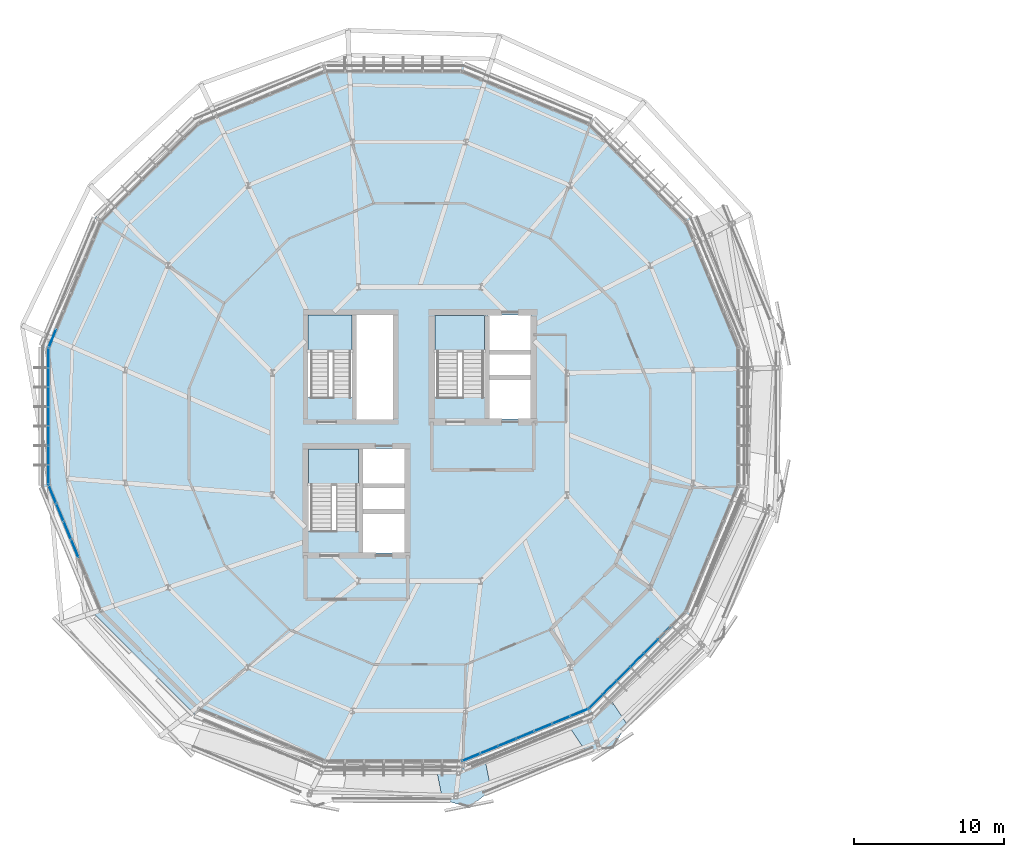
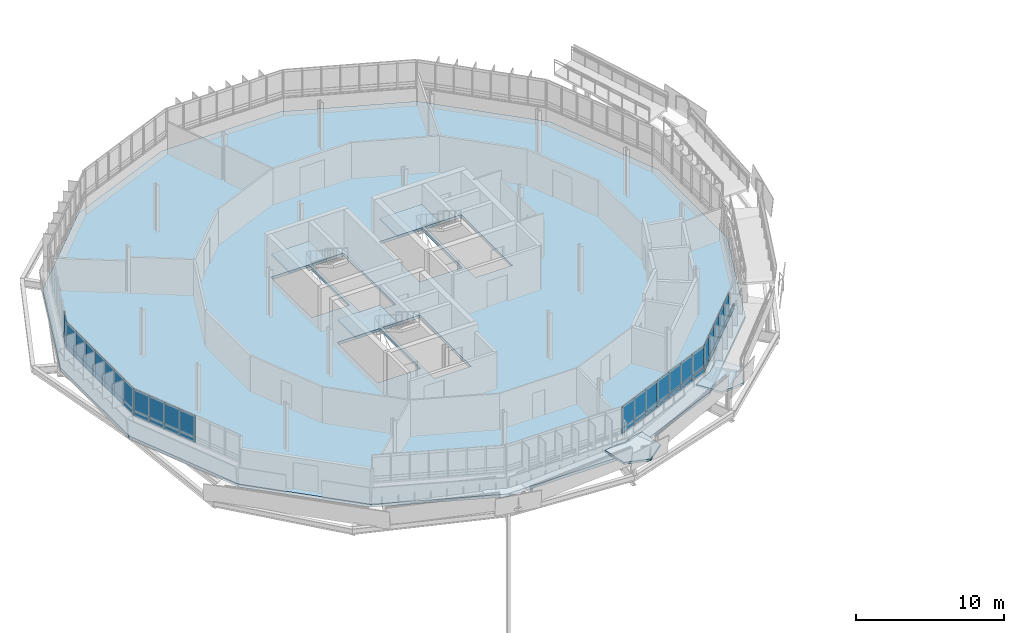
# One storey, part 25 of 38: 49 plates, 6 slabs, 9 elements without a shape of their own.
"""IFC4 building model written with IfcOpenShell, lengths in metres."""

from ifc_helpers import new_model, si_unit, derived_unit, direction, frame, origin, origin_2d, place, context, subcontext, project, spatial, polyline, rectangle, outline, extrude, material, layer, layer_set, type_object, element, aggregate, save


model = new_model("IFC4")

# Units and contexts
model_context = context("Model", 3, precision=1e-05, world=origin(), true_north=direction((0.0, 1.0)))
body_context = subcontext(model_context, "Body", "Model", "MODEL_VIEW")
ifc_project = project(units=[si_unit("LENGTHUNIT", "METRE"), si_unit("AREAUNIT", "SQUARE_METRE"), si_unit("VOLUMEUNIT", "CUBIC_METRE"), si_unit("PLANEANGLEUNIT", "RADIAN"), si_unit("MASSUNIT", "GRAM", prefix="KILO"), derived_unit("THERMALTRANSMITTANCEUNIT", [(si_unit("MASSUNIT", "GRAM", prefix="KILO"), 1), (si_unit("TIMEUNIT", "SECOND"), -3), (si_unit("THERMODYNAMICTEMPERATUREUNIT", "KELVIN"), -1)])], contexts=[model_context])

# Site, building, storey
site_placement = place(None, origin())
site = spatial("IfcSite", under=ifc_project, at=site_placement, CompositionType="ELEMENT")
building_placement = place(site_placement, origin())
building = spatial("IfcBuilding", under=site, at=building_placement, Name="Makaiwela Harbour Ferry Terminal", CompositionType="ELEMENT")
storey_placement = place(building_placement, frame((0.0, 0.0, 17.699951171875)))
storey = spatial("IfcBuildingStorey", under=building, at=storey_placement, Name="L04", CompositionType="ELEMENT", Elevation=17.699951171875)

# Curtain wall, plate
ifc_material_1 = material(Name="Marine anodised aluminium 6063-T6", Category="aluminium")
ifc_layer_1 = layer(ifc_material_1, 0.199951171875)
ifc_layer_set_1 = layer_set([ifc_layer_1], Name="Marine anodised aluminium 6063-T6")
curtain_wall_type = type_object("IfcCurtainWallType", Name="ENV-CW-06", PredefinedType="USERDEFINED", material=ifc_layer_set_1)
curtain_wall_1_placement = place(storey_placement, origin())
curtain_wall_1 = element("IfcCurtainWall", 1, at=curtain_wall_1_placement, inside=storey, type_object=curtain_wall_type, Name="Unitised Curtain Wall CWA-049", ObjectType="UNITIZED CURTAIN WALL", PredefinedType="USERDEFINED")
ifc_material_2 = material(Name="Laminated hurricane-impact low-E insulated glazing", Category="glass")
ifc_layer_2 = layer(ifc_material_2, 0.031982421875)
ifc_layer_set_2 = layer_set([ifc_layer_2], Name="Laminated hurricane-impact low-E insulated glazing")
plate_type_1 = type_object("IfcPlateType", Name="CW-PNL-G09", PredefinedType="CURTAIN_PANEL", material=ifc_layer_set_2)
plate_1_placement = place(storey_placement, frame((13.35888671875, 73.96142578125, 1.89990234375), z_axis=(0.0, 0.0, 1.0), x_axis=(-0.382683432365, -0.923879532511, 0.0)))
plate_1 = element("IfcPlate", 2, at=plate_1_placement, type_object=plate_type_1, Name="Glazed Vision Panel CWA-049-7G", PredefinedType="CURTAIN_PANEL", context=body_context, shape_type="SweptSolid", body=[
    extrude(rectangle(XDim=1.295654296875, YDim=0.031982421875, at=origin_2d()), origin(), (0.0, 0.0, 1.0), 1.780029296875),
])

# Curtain wall, plates
curtain_wall_2_placement = place(storey_placement, origin())
curtain_wall_2 = element("IfcCurtainWall", 3, at=curtain_wall_2_placement, inside=storey, type_object=curtain_wall_type, Name="Unitised Curtain Wall CWA-050", ObjectType="UNITIZED CURTAIN WALL", PredefinedType="USERDEFINED")
plate_2_placement = place(storey_placement, frame((13.099609375, 72.6572265625, 1.89990234375), z_axis=(0.0, 0.0, 1.0), x_axis=(0.0, -1.0, 0.0)))
plate_2 = element("IfcPlate", 4, at=plate_2_placement, type_object=plate_type_1, Name="Glazed Vision Panel CWA-050-1G", PredefinedType="CURTAIN_PANEL", context=body_context, shape_type="SweptSolid", body=[
    extrude(rectangle(XDim=1.295654296875, YDim=0.031982421875, at=origin_2d()), origin(), (0.0, 0.0, 1.0), 1.780029296875),
])
plate_3_placement = place(storey_placement, frame((13.099609375, 71.361572265625, 1.89990234375), z_axis=(0.0, 0.0, 1.0), x_axis=(0.0, -1.0, 0.0)))
plate_3 = element("IfcPlate", 5, at=plate_3_placement, type_object=plate_type_1, Name="Glazed Vision Panel CWA-050-2G", PredefinedType="CURTAIN_PANEL", context=body_context, shape_type="SweptSolid", body=[
    extrude(rectangle(XDim=1.295654296875, YDim=0.031982421875, at=origin_2d()), origin(), (0.0, 0.0, 1.0), 1.780029296875),
])
plate_4_placement = place(storey_placement, frame((13.099609375, 70.065673828125, 1.89990234375), z_axis=(0.0, 0.0, 1.0), x_axis=(0.0, -1.0, 0.0)))
plate_4 = element("IfcPlate", 6, at=plate_4_placement, type_object=plate_type_1, Name="Glazed Vision Panel CWA-050-3G", PredefinedType="CURTAIN_PANEL", context=body_context, shape_type="SweptSolid", body=[
    extrude(rectangle(XDim=1.295654296875, YDim=0.031982421875, at=origin_2d()), origin(), (0.0, 0.0, 1.0), 1.780029296875),
])
plate_5_placement = place(storey_placement, frame((13.099609375, 68.77001953125, 1.89990234375), z_axis=(0.0, 0.0, 1.0), x_axis=(0.0, -1.0, 0.0)))
plate_5 = element("IfcPlate", 7, at=plate_5_placement, type_object=plate_type_1, Name="Glazed Vision Panel CWA-050-4G", PredefinedType="CURTAIN_PANEL", context=body_context, shape_type="SweptSolid", body=[
    extrude(rectangle(XDim=1.295654296875, YDim=0.031982421875, at=origin_2d()), origin(), (0.0, 0.0, 1.0), 1.780029296875),
])
plate_6_placement = place(storey_placement, frame((13.099609375, 67.474365234375, 1.89990234375), z_axis=(0.0, 0.0, 1.0), x_axis=(0.0, -1.0, 0.0)))
plate_6 = element("IfcPlate", 8, at=plate_6_placement, type_object=plate_type_1, Name="Glazed Vision Panel CWA-050-5G", PredefinedType="CURTAIN_PANEL", context=body_context, shape_type="SweptSolid", body=[
    extrude(rectangle(XDim=1.295654296875, YDim=0.031982421875, at=origin_2d()), origin(), (0.0, 0.0, 1.0), 1.780029296875),
])
plate_7_placement = place(storey_placement, frame((13.099609375, 66.178466796875, 1.89990234375), z_axis=(0.0, 0.0, 1.0), x_axis=(0.0, -1.0, 0.0)))
plate_7 = element("IfcPlate", 9, at=plate_7_placement, type_object=plate_type_1, Name="Glazed Vision Panel CWA-050-6G", PredefinedType="CURTAIN_PANEL", context=body_context, shape_type="SweptSolid", body=[
    extrude(rectangle(XDim=1.295654296875, YDim=0.031982421875, at=origin_2d()), origin(), (0.0, 0.0, 1.0), 1.780029296875),
])
plate_8_placement = place(storey_placement, frame((13.099609375, 64.8828125, 1.89990234375), z_axis=(0.0, 0.0, 1.0), x_axis=(0.0, -1.0, 0.0)))
plate_8 = element("IfcPlate", 10, at=plate_8_placement, type_object=plate_type_1, Name="Glazed Vision Panel CWA-050-7G", PredefinedType="CURTAIN_PANEL", context=body_context, shape_type="SweptSolid", body=[
    extrude(rectangle(XDim=1.295654296875, YDim=0.031982421875, at=origin_2d()), origin(), (0.0, 0.0, 1.0), 1.780029296875),
])

curtain_wall_3_placement = place(storey_placement, origin())
curtain_wall_3 = element("IfcCurtainWall", 11, at=curtain_wall_3_placement, inside=storey, type_object=curtain_wall_type, Name="Unitised Curtain Wall CWA-051", ObjectType="UNITIZED CURTAIN WALL", PredefinedType="USERDEFINED")
plate_9_placement = place(storey_placement, frame((13.35888671875, 63.57861328125, 1.89990234375), z_axis=(0.0, 0.0, 1.0), x_axis=(0.382683432365, -0.923879532511, 0.0)))
plate_9 = element("IfcPlate", 12, at=plate_9_placement, type_object=plate_type_1, Name="Glazed Vision Panel CWA-051-1G", PredefinedType="CURTAIN_PANEL", context=body_context, shape_type="SweptSolid", body=[
    extrude(rectangle(XDim=1.295654296875, YDim=0.031982421875, at=origin_2d()), origin(), (0.0, 0.0, 1.0), 1.780029296875),
])
plate_10_placement = place(storey_placement, frame((13.85498046875, 62.381591796875, 1.89990234375), z_axis=(0.0, 0.0, 1.0), x_axis=(0.382683432365, -0.923879532511, 0.0)))
plate_10 = element("IfcPlate", 13, at=plate_10_placement, type_object=plate_type_1, Name="Glazed Vision Panel CWA-051-2G", PredefinedType="CURTAIN_PANEL", context=body_context, shape_type="SweptSolid", body=[
    extrude(rectangle(XDim=1.295654296875, YDim=0.031982421875, at=origin_2d()), origin(), (0.0, 0.0, 1.0), 1.780029296875),
])
plate_11_placement = place(storey_placement, frame((14.3505859375, 61.184326171875, 1.89990234375), z_axis=(0.0, 0.0, 1.0), x_axis=(0.382683432365, -0.923879532511, 0.0)))
plate_11 = element("IfcPlate", 14, at=plate_11_placement, type_object=plate_type_1, Name="Glazed Vision Panel CWA-051-3G", PredefinedType="CURTAIN_PANEL", context=body_context, shape_type="SweptSolid", body=[
    extrude(rectangle(XDim=1.295654296875, YDim=0.031982421875, at=origin_2d()), origin(), (0.0, 0.0, 1.0), 1.780029296875),
])
plate_12_placement = place(storey_placement, frame((14.8466796875, 59.9873046875, 1.89990234375), z_axis=(0.0, 0.0, 1.0), x_axis=(0.382683432365, -0.923879532511, 0.0)))
plate_12 = element("IfcPlate", 15, at=plate_12_placement, type_object=plate_type_1, Name="Glazed Vision Panel CWA-051-4G", PredefinedType="CURTAIN_PANEL", context=body_context, shape_type="SweptSolid", body=[
    extrude(rectangle(XDim=1.295654296875, YDim=0.031982421875, at=origin_2d()), origin(), (0.0, 0.0, 1.0), 1.780029296875),
])

curtain_wall_4_placement = place(storey_placement, origin())
curtain_wall_4 = element("IfcCurtainWall", 16, at=curtain_wall_4_placement, inside=storey, type_object=curtain_wall_type, Name="Unitised Curtain Wall CWA-054", ObjectType="UNITIZED CURTAIN WALL", PredefinedType="USERDEFINED")
plate_13_placement = place(storey_placement, frame((41.241455078125, 46.0791015625, 1.89990234375), z_axis=(0.0, 0.0, 1.0), x_axis=(0.923879532511, 0.382683432365, 0.0)))
plate_13 = element("IfcPlate", 17, at=plate_13_placement, type_object=plate_type_1, Name="Glazed Vision Panel CWA-054-1G", PredefinedType="CURTAIN_PANEL", context=body_context, shape_type="SweptSolid", body=[
    extrude(rectangle(XDim=1.295654296875, YDim=0.031982421875, at=origin_2d()), origin(), (0.0, 0.0, 1.0), 1.780029296875),
])
plate_14_placement = place(storey_placement, frame((42.4384765625, 46.574951171875, 1.89990234375), z_axis=(0.0, 0.0, 1.0), x_axis=(0.923879532511, 0.382683432365, 0.0)))
plate_14 = element("IfcPlate", 18, at=plate_14_placement, type_object=plate_type_1, Name="Glazed Vision Panel CWA-054-2G", PredefinedType="CURTAIN_PANEL", context=body_context, shape_type="SweptSolid", body=[
    extrude(rectangle(XDim=1.295654296875, YDim=0.031982421875, at=origin_2d()), origin(), (0.0, 0.0, 1.0), 1.780029296875),
])
plate_15_placement = place(storey_placement, frame((43.635498046875, 47.07080078125, 1.89990234375), z_axis=(0.0, 0.0, 1.0), x_axis=(0.923879532511, 0.382683432365, 0.0)))
plate_15 = element("IfcPlate", 19, at=plate_15_placement, type_object=plate_type_1, Name="Glazed Vision Panel CWA-054-3G", PredefinedType="CURTAIN_PANEL", context=body_context, shape_type="SweptSolid", body=[
    extrude(rectangle(XDim=1.295654296875, YDim=0.031982421875, at=origin_2d()), origin(), (0.0, 0.0, 1.0), 1.780029296875),
])
plate_16_placement = place(storey_placement, frame((44.832763671875, 47.566650390625, 1.89990234375), z_axis=(0.0, 0.0, 1.0), x_axis=(0.923879532511, 0.382683432365, 0.0)))
plate_16 = element("IfcPlate", 20, at=plate_16_placement, type_object=plate_type_1, Name="Glazed Vision Panel CWA-054-4G", PredefinedType="CURTAIN_PANEL", context=body_context, shape_type="SweptSolid", body=[
    extrude(rectangle(XDim=1.295654296875, YDim=0.031982421875, at=origin_2d()), origin(), (0.0, 0.0, 1.0), 1.780029296875),
])
plate_17_placement = place(storey_placement, frame((46.02978515625, 48.0625, 1.89990234375), z_axis=(0.0, 0.0, 1.0), x_axis=(0.923879532511, 0.382683432365, 0.0)))
plate_17 = element("IfcPlate", 21, at=plate_17_placement, type_object=plate_type_1, Name="Glazed Vision Panel CWA-054-5G", PredefinedType="CURTAIN_PANEL", context=body_context, shape_type="SweptSolid", body=[
    extrude(rectangle(XDim=1.295654296875, YDim=0.031982421875, at=origin_2d()), origin(), (0.0, 0.0, 1.0), 1.780029296875),
])
plate_18_placement = place(storey_placement, frame((47.226806640625, 48.558349609375, 1.89990234375), z_axis=(0.0, 0.0, 1.0), x_axis=(0.923879532511, 0.382683432365, 0.0)))
plate_18 = element("IfcPlate", 22, at=plate_18_placement, type_object=plate_type_1, Name="Glazed Vision Panel CWA-054-6G", PredefinedType="CURTAIN_PANEL", context=body_context, shape_type="SweptSolid", body=[
    extrude(rectangle(XDim=1.295654296875, YDim=0.031982421875, at=origin_2d()), origin(), (0.0, 0.0, 1.0), 1.780029296875),
])
plate_19_placement = place(storey_placement, frame((48.424072265625, 49.05419921875, 1.89990234375), z_axis=(0.0, 0.0, 1.0), x_axis=(0.923879532511, 0.382683432365, 0.0)))
plate_19 = element("IfcPlate", 23, at=plate_19_placement, type_object=plate_type_1, Name="Glazed Vision Panel CWA-054-7G", PredefinedType="CURTAIN_PANEL", context=body_context, shape_type="SweptSolid", body=[
    extrude(rectangle(XDim=1.295654296875, YDim=0.031982421875, at=origin_2d()), origin(), (0.0, 0.0, 1.0), 1.780029296875),
])

curtain_wall_5_placement = place(storey_placement, origin())
curtain_wall_5 = element("IfcCurtainWall", 24, at=curtain_wall_5_placement, inside=storey, type_object=curtain_wall_type, Name="Unitised Curtain Wall CWA-055", ObjectType="UNITIZED CURTAIN WALL", PredefinedType="USERDEFINED")
plate_20_placement = place(storey_placement, frame((49.529541015625, 49.79296875, 1.89990234375), z_axis=(0.0, 0.0, 1.0), x_axis=(0.707106781187, 0.707106781187, 0.0)))
plate_20 = element("IfcPlate", 25, at=plate_20_placement, type_object=plate_type_1, Name="Glazed Vision Panel CWA-055-1G", PredefinedType="CURTAIN_PANEL", context=body_context, shape_type="SweptSolid", body=[
    extrude(rectangle(XDim=1.2958984375, YDim=0.031982421875, at=origin_2d()), origin(), (0.0, 0.0, 1.0), 1.780029296875),
])
plate_21_placement = place(storey_placement, frame((50.44580078125, 50.709228515625, 1.89990234375), z_axis=(0.0, 0.0, 1.0), x_axis=(0.707106781187, 0.707106781187, 0.0)))
plate_21 = element("IfcPlate", 26, at=plate_21_placement, type_object=plate_type_1, Name="Glazed Vision Panel CWA-055-2G", PredefinedType="CURTAIN_PANEL", context=body_context, shape_type="SweptSolid", body=[
    extrude(rectangle(XDim=1.2958984375, YDim=0.031982421875, at=origin_2d()), origin(), (0.0, 0.0, 1.0), 1.780029296875),
])
plate_22_placement = place(storey_placement, frame((51.362060546875, 51.62548828125, 1.89990234375), z_axis=(0.0, 0.0, 1.0), x_axis=(0.707106781187, 0.707106781187, 0.0)))
plate_22 = element("IfcPlate", 27, at=plate_22_placement, type_object=plate_type_1, Name="Glazed Vision Panel CWA-055-3G", PredefinedType="CURTAIN_PANEL", context=body_context, shape_type="SweptSolid", body=[
    extrude(rectangle(XDim=1.2958984375, YDim=0.031982421875, at=origin_2d()), origin(), (0.0, 0.0, 1.0), 1.780029296875),
])
plate_23_placement = place(storey_placement, frame((52.2783203125, 52.541748046875, 1.89990234375), z_axis=(0.0, 0.0, 1.0), x_axis=(0.707106781187, 0.707106781187, 0.0)))
plate_23 = element("IfcPlate", 28, at=plate_23_placement, type_object=plate_type_1, Name="Glazed Vision Panel CWA-055-4G", PredefinedType="CURTAIN_PANEL", context=body_context, shape_type="SweptSolid", body=[
    extrude(rectangle(XDim=1.2958984375, YDim=0.031982421875, at=origin_2d()), origin(), (0.0, 0.0, 1.0), 1.780029296875),
])
plate_24_placement = place(storey_placement, frame((53.194580078125, 53.4580078125, 1.89990234375), z_axis=(0.0, 0.0, 1.0), x_axis=(0.707106781187, 0.707106781187, 0.0)))
plate_24 = element("IfcPlate", 29, at=plate_24_placement, type_object=plate_type_1, Name="Glazed Vision Panel CWA-055-5G", PredefinedType="CURTAIN_PANEL", context=body_context, shape_type="SweptSolid", body=[
    extrude(rectangle(XDim=1.2958984375, YDim=0.031982421875, at=origin_2d()), origin(), (0.0, 0.0, 1.0), 1.780029296875),
])

# Plate
ifc_material_3 = material(Name="Insulated marine aluminium spandrel panel", Category="aluminium")
ifc_layer_3 = layer(ifc_material_3, 0.048095703125)
ifc_layer_set_3 = layer_set([ifc_layer_3], Name="Insulated marine aluminium spandrel panel")
plate_type_2 = type_object("IfcPlateType", Name="CW-PNL-S01", PredefinedType="CURTAIN_PANEL", material=ifc_layer_set_3)
plate_25_placement = place(storey_placement, frame((13.35888671875, 73.96142578125, 1.47998046875), z_axis=(0.0, 0.0, 1.0), x_axis=(-0.382683432365, -0.923879532511, 0.0)))
plate_25 = element("IfcPlate", 30, at=plate_25_placement, type_object=plate_type_2, Name="Spandrel Panel CWA-049-7S", PredefinedType="CURTAIN_PANEL", context=body_context, shape_type="SweptSolid", body=[
    extrude(rectangle(XDim=1.295654296875, YDim=0.048095703125, at=origin_2d()), origin(), (0.0, 0.0, 1.0), 0.419921875),
])

aggregate(curtain_wall_1, [plate_25, plate_1])

plate_26_placement = place(storey_placement, frame((13.099609375, 72.6572265625, 1.47998046875), z_axis=(0.0, 0.0, 1.0), x_axis=(0.0, -1.0, 0.0)))
plate_26 = element("IfcPlate", 31, at=plate_26_placement, type_object=plate_type_2, Name="Spandrel Panel CWA-050-1S", PredefinedType="CURTAIN_PANEL", context=body_context, shape_type="SweptSolid", body=[
    extrude(rectangle(XDim=1.295654296875, YDim=0.048095703125, at=origin_2d()), origin(), (0.0, 0.0, 1.0), 0.419921875),
])

plate_27_placement = place(storey_placement, frame((13.099609375, 71.361572265625, 1.47998046875), z_axis=(0.0, 0.0, 1.0), x_axis=(0.0, -1.0, 0.0)))
plate_27 = element("IfcPlate", 32, at=plate_27_placement, type_object=plate_type_2, Name="Spandrel Panel CWA-050-2S", PredefinedType="CURTAIN_PANEL", context=body_context, shape_type="SweptSolid", body=[
    extrude(rectangle(XDim=1.295654296875, YDim=0.048095703125, at=origin_2d()), origin(), (0.0, 0.0, 1.0), 0.419921875),
])

plate_28_placement = place(storey_placement, frame((13.099609375, 70.065673828125, 1.47998046875), z_axis=(0.0, 0.0, 1.0), x_axis=(0.0, -1.0, 0.0)))
plate_28 = element("IfcPlate", 33, at=plate_28_placement, type_object=plate_type_2, Name="Spandrel Panel CWA-050-3S", PredefinedType="CURTAIN_PANEL", context=body_context, shape_type="SweptSolid", body=[
    extrude(rectangle(XDim=1.295654296875, YDim=0.048095703125, at=origin_2d()), origin(), (0.0, 0.0, 1.0), 0.419921875),
])

plate_29_placement = place(storey_placement, frame((13.099609375, 68.77001953125, 1.47998046875), z_axis=(0.0, 0.0, 1.0), x_axis=(0.0, -1.0, 0.0)))
plate_29 = element("IfcPlate", 34, at=plate_29_placement, type_object=plate_type_2, Name="Spandrel Panel CWA-050-4S", PredefinedType="CURTAIN_PANEL", context=body_context, shape_type="SweptSolid", body=[
    extrude(rectangle(XDim=1.295654296875, YDim=0.048095703125, at=origin_2d()), origin(), (0.0, 0.0, 1.0), 0.419921875),
])

plate_30_placement = place(storey_placement, frame((13.099609375, 67.474365234375, 1.47998046875), z_axis=(0.0, 0.0, 1.0), x_axis=(0.0, -1.0, 0.0)))
plate_30 = element("IfcPlate", 35, at=plate_30_placement, type_object=plate_type_2, Name="Spandrel Panel CWA-050-5S", PredefinedType="CURTAIN_PANEL", context=body_context, shape_type="SweptSolid", body=[
    extrude(rectangle(XDim=1.295654296875, YDim=0.048095703125, at=origin_2d()), origin(), (0.0, 0.0, 1.0), 0.419921875),
])

plate_31_placement = place(storey_placement, frame((13.099609375, 66.178466796875, 1.47998046875), z_axis=(0.0, 0.0, 1.0), x_axis=(0.0, -1.0, 0.0)))
plate_31 = element("IfcPlate", 36, at=plate_31_placement, type_object=plate_type_2, Name="Spandrel Panel CWA-050-6S", PredefinedType="CURTAIN_PANEL", context=body_context, shape_type="SweptSolid", body=[
    extrude(rectangle(XDim=1.295654296875, YDim=0.048095703125, at=origin_2d()), origin(), (0.0, 0.0, 1.0), 0.419921875),
])

plate_32_placement = place(storey_placement, frame((13.099609375, 64.8828125, 1.47998046875), z_axis=(0.0, 0.0, 1.0), x_axis=(0.0, -1.0, 0.0)))
plate_32 = element("IfcPlate", 37, at=plate_32_placement, type_object=plate_type_2, Name="Spandrel Panel CWA-050-7S", PredefinedType="CURTAIN_PANEL", context=body_context, shape_type="SweptSolid", body=[
    extrude(rectangle(XDim=1.295654296875, YDim=0.048095703125, at=origin_2d()), origin(), (0.0, 0.0, 1.0), 0.419921875),
])

aggregate(curtain_wall_2, [plate_26, plate_2, plate_27, plate_3, plate_28, plate_4, plate_29, plate_5, plate_30, plate_6, plate_31, plate_7, plate_32, plate_8])

plate_33_placement = place(storey_placement, frame((13.35888671875, 63.57861328125, 1.47998046875), z_axis=(0.0, 0.0, 1.0), x_axis=(0.382683432365, -0.923879532511, 0.0)))
plate_33 = element("IfcPlate", 38, at=plate_33_placement, type_object=plate_type_2, Name="Spandrel Panel CWA-051-1S", PredefinedType="CURTAIN_PANEL", context=body_context, shape_type="SweptSolid", body=[
    extrude(rectangle(XDim=1.295654296875, YDim=0.048095703125, at=origin_2d()), origin(), (0.0, 0.0, 1.0), 0.419921875),
])

plate_34_placement = place(storey_placement, frame((13.85498046875, 62.381591796875, 1.47998046875), z_axis=(0.0, 0.0, 1.0), x_axis=(0.382683432365, -0.923879532511, 0.0)))
plate_34 = element("IfcPlate", 39, at=plate_34_placement, type_object=plate_type_2, Name="Spandrel Panel CWA-051-2S", PredefinedType="CURTAIN_PANEL", context=body_context, shape_type="SweptSolid", body=[
    extrude(rectangle(XDim=1.295654296875, YDim=0.048095703125, at=origin_2d()), origin(), (0.0, 0.0, 1.0), 0.419921875),
])

plate_35_placement = place(storey_placement, frame((14.3505859375, 61.184326171875, 1.47998046875), z_axis=(0.0, 0.0, 1.0), x_axis=(0.382683432365, -0.923879532511, 0.0)))
plate_35 = element("IfcPlate", 40, at=plate_35_placement, type_object=plate_type_2, Name="Spandrel Panel CWA-051-3S", PredefinedType="CURTAIN_PANEL", context=body_context, shape_type="SweptSolid", body=[
    extrude(rectangle(XDim=1.295654296875, YDim=0.048095703125, at=origin_2d()), origin(), (0.0, 0.0, 1.0), 0.419921875),
])

plate_36_placement = place(storey_placement, frame((14.8466796875, 59.9873046875, 1.47998046875), z_axis=(0.0, 0.0, 1.0), x_axis=(0.382683432365, -0.923879532511, 0.0)))
plate_36 = element("IfcPlate", 41, at=plate_36_placement, type_object=plate_type_2, Name="Spandrel Panel CWA-051-4S", PredefinedType="CURTAIN_PANEL", context=body_context, shape_type="SweptSolid", body=[
    extrude(rectangle(XDim=1.295654296875, YDim=0.048095703125, at=origin_2d()), origin(), (0.0, 0.0, 1.0), 0.419921875),
])

aggregate(curtain_wall_3, [plate_33, plate_9, plate_34, plate_10, plate_35, plate_11, plate_36, plate_12])

plate_37_placement = place(storey_placement, frame((41.241455078125, 46.0791015625, 1.47998046875), z_axis=(0.0, 0.0, 1.0), x_axis=(0.923879532511, 0.382683432365, 0.0)))
plate_37 = element("IfcPlate", 42, at=plate_37_placement, type_object=plate_type_2, Name="Spandrel Panel CWA-054-1S", PredefinedType="CURTAIN_PANEL", context=body_context, shape_type="SweptSolid", body=[
    extrude(rectangle(XDim=1.295654296875, YDim=0.048095703125, at=origin_2d()), origin(), (0.0, 0.0, 1.0), 0.419921875),
])

plate_38_placement = place(storey_placement, frame((42.4384765625, 46.574951171875, 1.47998046875), z_axis=(0.0, 0.0, 1.0), x_axis=(0.923879532511, 0.382683432365, 0.0)))
plate_38 = element("IfcPlate", 43, at=plate_38_placement, type_object=plate_type_2, Name="Spandrel Panel CWA-054-2S", PredefinedType="CURTAIN_PANEL", context=body_context, shape_type="SweptSolid", body=[
    extrude(rectangle(XDim=1.295654296875, YDim=0.048095703125, at=origin_2d()), origin(), (0.0, 0.0, 1.0), 0.419921875),
])

plate_39_placement = place(storey_placement, frame((43.635498046875, 47.07080078125, 1.47998046875), z_axis=(0.0, 0.0, 1.0), x_axis=(0.923879532511, 0.382683432365, 0.0)))
plate_39 = element("IfcPlate", 44, at=plate_39_placement, type_object=plate_type_2, Name="Spandrel Panel CWA-054-3S", PredefinedType="CURTAIN_PANEL", context=body_context, shape_type="SweptSolid", body=[
    extrude(rectangle(XDim=1.295654296875, YDim=0.048095703125, at=origin_2d()), origin(), (0.0, 0.0, 1.0), 0.419921875),
])

plate_40_placement = place(storey_placement, frame((44.832763671875, 47.566650390625, 1.47998046875), z_axis=(0.0, 0.0, 1.0), x_axis=(0.923879532511, 0.382683432365, 0.0)))
plate_40 = element("IfcPlate", 45, at=plate_40_placement, type_object=plate_type_2, Name="Spandrel Panel CWA-054-4S", PredefinedType="CURTAIN_PANEL", context=body_context, shape_type="SweptSolid", body=[
    extrude(rectangle(XDim=1.295654296875, YDim=0.048095703125, at=origin_2d()), origin(), (0.0, 0.0, 1.0), 0.419921875),
])

plate_41_placement = place(storey_placement, frame((46.02978515625, 48.0625, 1.47998046875), z_axis=(0.0, 0.0, 1.0), x_axis=(0.923879532511, 0.382683432365, 0.0)))
plate_41 = element("IfcPlate", 46, at=plate_41_placement, type_object=plate_type_2, Name="Spandrel Panel CWA-054-5S", PredefinedType="CURTAIN_PANEL", context=body_context, shape_type="SweptSolid", body=[
    extrude(rectangle(XDim=1.295654296875, YDim=0.048095703125, at=origin_2d()), origin(), (0.0, 0.0, 1.0), 0.419921875),
])

plate_42_placement = place(storey_placement, frame((47.226806640625, 48.558349609375, 1.47998046875), z_axis=(0.0, 0.0, 1.0), x_axis=(0.923879532511, 0.382683432365, 0.0)))
plate_42 = element("IfcPlate", 47, at=plate_42_placement, type_object=plate_type_2, Name="Spandrel Panel CWA-054-6S", PredefinedType="CURTAIN_PANEL", context=body_context, shape_type="SweptSolid", body=[
    extrude(rectangle(XDim=1.295654296875, YDim=0.048095703125, at=origin_2d()), origin(), (0.0, 0.0, 1.0), 0.419921875),
])

plate_43_placement = place(storey_placement, frame((48.424072265625, 49.05419921875, 1.47998046875), z_axis=(0.0, 0.0, 1.0), x_axis=(0.923879532511, 0.382683432365, 0.0)))
plate_43 = element("IfcPlate", 48, at=plate_43_placement, type_object=plate_type_2, Name="Spandrel Panel CWA-054-7S", PredefinedType="CURTAIN_PANEL", context=body_context, shape_type="SweptSolid", body=[
    extrude(rectangle(XDim=1.295654296875, YDim=0.048095703125, at=origin_2d()), origin(), (0.0, 0.0, 1.0), 0.419921875),
])

aggregate(curtain_wall_4, [plate_37, plate_13, plate_38, plate_14, plate_39, plate_15, plate_40, plate_16, plate_41, plate_17, plate_42, plate_18, plate_43, plate_19])

plate_44_placement = place(storey_placement, frame((49.529541015625, 49.79296875, 1.47998046875), z_axis=(0.0, 0.0, 1.0), x_axis=(0.707106781187, 0.707106781187, 0.0)))
plate_44 = element("IfcPlate", 49, at=plate_44_placement, type_object=plate_type_2, Name="Spandrel Panel CWA-055-1S", PredefinedType="CURTAIN_PANEL", context=body_context, shape_type="SweptSolid", body=[
    extrude(rectangle(XDim=1.2958984375, YDim=0.048095703125, at=origin_2d()), origin(), (0.0, 0.0, 1.0), 0.419921875),
])

plate_45_placement = place(storey_placement, frame((50.44580078125, 50.709228515625, 1.47998046875), z_axis=(0.0, 0.0, 1.0), x_axis=(0.707106781187, 0.707106781187, 0.0)))
plate_45 = element("IfcPlate", 50, at=plate_45_placement, type_object=plate_type_2, Name="Spandrel Panel CWA-055-2S", PredefinedType="CURTAIN_PANEL", context=body_context, shape_type="SweptSolid", body=[
    extrude(rectangle(XDim=1.2958984375, YDim=0.048095703125, at=origin_2d()), origin(), (0.0, 0.0, 1.0), 0.419921875),
])

plate_46_placement = place(storey_placement, frame((51.362060546875, 51.62548828125, 1.47998046875), z_axis=(0.0, 0.0, 1.0), x_axis=(0.707106781187, 0.707106781187, 0.0)))
plate_46 = element("IfcPlate", 51, at=plate_46_placement, type_object=plate_type_2, Name="Spandrel Panel CWA-055-3S", PredefinedType="CURTAIN_PANEL", context=body_context, shape_type="SweptSolid", body=[
    extrude(rectangle(XDim=1.2958984375, YDim=0.048095703125, at=origin_2d()), origin(), (0.0, 0.0, 1.0), 0.419921875),
])

plate_47_placement = place(storey_placement, frame((52.2783203125, 52.541748046875, 1.47998046875), z_axis=(0.0, 0.0, 1.0), x_axis=(0.707106781187, 0.707106781187, 0.0)))
plate_47 = element("IfcPlate", 52, at=plate_47_placement, type_object=plate_type_2, Name="Spandrel Panel CWA-055-4S", PredefinedType="CURTAIN_PANEL", context=body_context, shape_type="SweptSolid", body=[
    extrude(rectangle(XDim=1.2958984375, YDim=0.048095703125, at=origin_2d()), origin(), (0.0, 0.0, 1.0), 0.419921875),
])

plate_48_placement = place(storey_placement, frame((53.194580078125, 53.4580078125, 1.47998046875), z_axis=(0.0, 0.0, 1.0), x_axis=(0.707106781187, 0.707106781187, 0.0)))
plate_48 = element("IfcPlate", 53, at=plate_48_placement, type_object=plate_type_2, Name="Spandrel Panel CWA-055-5S", PredefinedType="CURTAIN_PANEL", context=body_context, shape_type="SweptSolid", body=[
    extrude(rectangle(XDim=1.2958984375, YDim=0.048095703125, at=origin_2d()), origin(), (0.0, 0.0, 1.0), 0.419921875),
])

plate_49_placement = place(storey_placement, frame((54.11083984375, 54.3740234375, 1.47998046875), z_axis=(0.0, 0.0, 1.0), x_axis=(0.707106781187, 0.707106781187, 0.0)))
plate_49 = element("IfcPlate", 54, at=plate_49_placement, type_object=plate_type_2, Name="Spandrel Panel CWA-055-6S", PredefinedType="CURTAIN_PANEL", context=body_context, shape_type="SweptSolid", body=[
    extrude(rectangle(XDim=1.2958984375, YDim=0.048095703125, at=origin_2d()), origin(), (0.0, 0.0, 1.0), 0.419921875),
])

aggregate(curtain_wall_5, [plate_44, plate_20, plate_45, plate_21, plate_46, plate_22, plate_47, plate_23, plate_48, plate_24, plate_49])

# Slab
ifc_material_4 = material(Name="Concrete f'c 35 MPa (5000 psi)", Category="concrete")
ifc_layer_4 = layer(ifc_material_4, 0.239990234375)
ifc_layer_set_4 = layer_set([ifc_layer_4], Name="Concrete f'c 35 MPa (5000 psi)")
slab_type_1 = type_object("IfcSlabType", Name="SLB-FLR-240", PredefinedType="FLOOR", material=ifc_layer_set_4)
slab_1_placement = place(storey_placement, frame((0.0, 0.0, -0.239990234375)))
element("IfcSlab", 55, at=slab_1_placement, inside=storey, type_object=slab_type_1, Name="Slab SLB-043", PredefinedType="FLOOR", context=body_context, shape_type="SweptSolid", body=[
    extrude(outline(polyline([(59.441650390625, 73.4228515625), (55.880615234375, 82.0205078125), (49.30029296875, 88.6005859375), (40.702880859375, 92.16162109375), (31.397216796875, 92.16162109375), (22.799560546875, 88.6005859375), (16.219482421875, 82.0205078125), (12.658203125, 73.4228515625), (12.658203125, 64.1171875), (16.219482421875, 55.51953125), (22.799560546875, 48.939453125), (31.397216796875, 45.37841796875), (40.702880859375, 45.37841796875), (49.30029296875, 48.939453125), (55.880615234375, 55.51953125), (59.441650390625, 64.1171875), (59.441650390625, 73.4228515625)]), holes=[polyline([(38.794921875, 70.0400390625), (38.794921875, 75.5048828125), (42.14208984375, 75.5048828125), (42.14208984375, 70.0400390625), (38.794921875, 70.0400390625)]), polyline([(42.35205078125, 68.594970703125), (42.35205078125, 75.5048828125), (45.205078125, 75.5048828125), (45.205078125, 68.594970703125), (42.35205078125, 68.594970703125)]), polyline([(30.3701171875, 61.139892578125), (30.3701171875, 66.6298828125), (33.741943359375, 66.6298828125), (33.741943359375, 61.139892578125), (30.3701171875, 61.139892578125)]), polyline([(33.951904296875, 59.669921875), (33.951904296875, 66.6298828125), (36.830078125, 66.6298828125), (36.830078125, 59.669921875), (33.951904296875, 59.669921875)]), polyline([(30.35009765625, 70.0400390625), (30.35009765625, 75.550048828125), (33.31005859375, 75.550048828125), (33.31005859375, 70.0400390625), (30.35009765625, 70.0400390625)]), polyline([(33.52001953125, 68.550048828125), (33.52001953125, 75.550048828125), (36.050048828125, 75.550048828125), (36.050048828125, 68.550048828125), (33.52001953125, 68.550048828125)])]), origin(), (0.0, 0.0, 1.0), 0.239990234375),
])

# Stair, slab
stair_type_1 = type_object("IfcStairType", Name="CIR-STR-A04", PredefinedType="HALF_TURN_STAIR", material=ifc_material_4)
stair_1_placement = place(storey_placement, origin())
stair_1 = element("IfcStair", 56, at=stair_1_placement, inside=storey, type_object=stair_type_1, Name="Stair ST-01-L04", PredefinedType="HALF_TURN_STAIR")
ifc_layer_5 = layer(ifc_material_4, 0.14990234375)
ifc_layer_set_5 = layer_set([ifc_layer_5], Name="Concrete f'c 35 MPa (5000 psi)")
slab_type_2 = type_object("IfcSlabType", Name="SLB-LND-150", PredefinedType="LANDING", material=ifc_layer_set_5)
slab_2_placement = place(storey_placement, frame((0.0, 0.0, 1.800048828125)))
slab_2 = element("IfcSlab", 57, at=slab_2_placement, type_object=slab_type_2, Name="Stair Half Landing LND-05", PredefinedType="LANDING", context=body_context, shape_type="SweptSolid", body=[
    extrude(outline(polyline([(38.81005859375, 73.0849609375), (42.126953125, 73.0849609375), (42.126953125, 75.489990234375), (38.81005859375, 75.489990234375), (38.81005859375, 73.0849609375)])), origin(), (0.0, 0.0, 1.0), 0.14990234375),
])
aggregate(stair_1, [slab_2])

stair_2_placement = place(storey_placement, origin())
stair_2 = element("IfcStair", 58, at=stair_2_placement, inside=storey, type_object=stair_type_1, Name="Stair ST-02-L04", PredefinedType="HALF_TURN_STAIR")
slab_3_placement = place(storey_placement, frame((0.0, 0.0, 1.800048828125)))
slab_3 = element("IfcSlab", 59, at=slab_3_placement, type_object=slab_type_2, Name="Stair Half Landing LND-10", PredefinedType="LANDING", context=body_context, shape_type="SweptSolid", body=[
    extrude(outline(polyline([(30.385009765625, 64.18505859375), (33.72705078125, 64.18505859375), (33.72705078125, 66.614990234375), (30.385009765625, 66.614990234375), (30.385009765625, 64.18505859375)])), origin(), (0.0, 0.0, 1.0), 0.14990234375),
])
aggregate(stair_2, [slab_3])

stair_type_2 = type_object("IfcStairType", Name="CIR-STR-A08", PredefinedType="HALF_TURN_STAIR", material=ifc_material_4)
stair_3_placement = place(storey_placement, origin())
stair_3 = element("IfcStair", 60, at=stair_3_placement, inside=storey, type_object=stair_type_2, Name="Stair ST-03-L04", PredefinedType="HALF_TURN_STAIR")
slab_4_placement = place(storey_placement, frame((0.0, 0.0, 1.800048828125)))
slab_4 = element("IfcSlab", 61, at=slab_4_placement, type_object=slab_type_2, Name="Stair Half Landing LND-15", PredefinedType="LANDING", context=body_context, shape_type="SweptSolid", body=[
    extrude(outline(polyline([(30.364990234375, 73.0849609375), (33.294921875, 73.0849609375), (33.294921875, 75.534912109375), (30.364990234375, 75.534912109375), (30.364990234375, 73.0849609375)])), origin(), (0.0, 0.0, 1.0), 0.14990234375),
])
aggregate(stair_3, [slab_4])

# Ramp, slabs
ramp_type = type_object("IfcRampType", Name="CIR-RMP-ASSY", PredefinedType="STRAIGHT_RUN_RAMP", material=ifc_material_4)
ramp_placement = place(storey_placement, origin())
ramp = element("IfcRamp", 62, at=ramp_placement, inside=storey, type_object=ramp_type, Name="External Coiled Promenade Ramp L04 to L05", PredefinedType="STRAIGHT_RUN_RAMP")
ifc_layer_6 = layer(ifc_material_4, 0.169921875)
ifc_layer_set_6 = layer_set([ifc_layer_6], Name="Concrete f'c 35 MPa (5000 psi)")
slab_type_3 = type_object("IfcSlabType", Name="SLB-LND-170", PredefinedType="LANDING", material=ifc_layer_set_6)
slab_5_placement = place(storey_placement, frame((0.0, 0.0, 0.9443359375)))
slab_5 = element("IfcSlab", 63, at=slab_5_placement, type_object=slab_type_3, Name="Promenade Ramp Landing RMP-COIL-L04-L2", PredefinedType="LANDING", context=body_context, shape_type="SweptSolid", body=[
    extrude(outline(polyline([(41.503662109375, 45.67919921875), (40.59423828125, 45.302490234375), (40.593994140625, 45.302490234375), (40.593994140625, 45.302490234375), (40.59375, 45.302490234375), (40.593505859375, 45.302490234375), (39.609130859375, 45.302490234375), (38.93798828125, 45.1689453125), (39.316650390625, 43.26611328125), (41.1044921875, 42.73486328125), (42.55322265625, 43.909912109375), (42.1748046875, 45.812744140625), (41.503662109375, 45.67919921875)])), origin(), (0.0, 0.0, 1.0), 0.169921875),
])
slab_6_placement = place(storey_placement, frame((0.0, 0.0, 1.50146484375)))
slab_6 = element("IfcSlab", 64, at=slab_6_placement, type_object=slab_type_3, Name="Promenade Ramp Landing RMP-COIL-L04-L3", PredefinedType="LANDING", context=body_context, shape_type="SweptSolid", body=[
    extrude(outline(polyline([(49.92578125, 49.561279296875), (49.230224609375, 48.86572265625), (49.230224609375, 48.865478515625), (49.22998046875, 48.865478515625), (49.229736328125, 48.865234375), (49.229736328125, 48.865234375), (48.320556640625, 48.48876953125), (47.75146484375, 48.1083984375), (48.8291015625, 46.495361328125), (50.6845703125, 46.688720703125), (51.572998046875, 48.32861328125), (50.495361328125, 49.941650390625), (49.92578125, 49.561279296875)])), origin(), (0.0, 0.0, 1.0), 0.169921875),
])
aggregate(ramp, [slab_5, slab_6])

save(model, "model.ifc")
